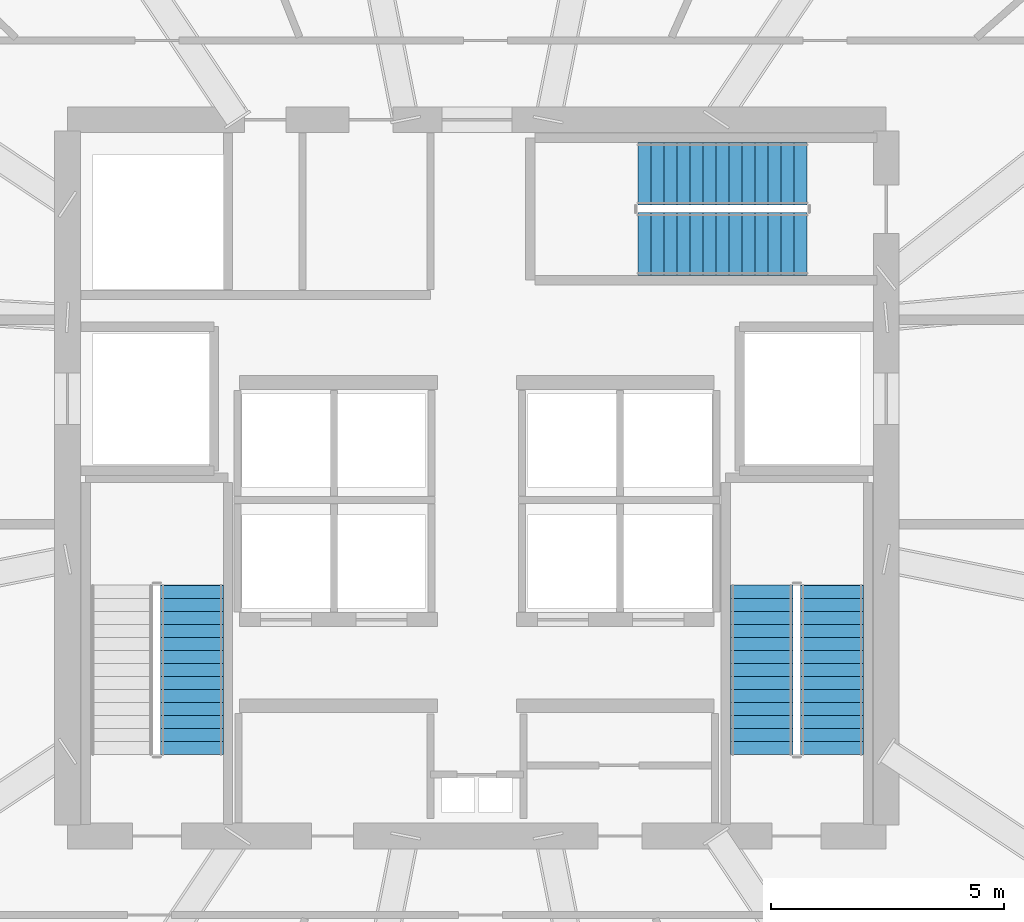
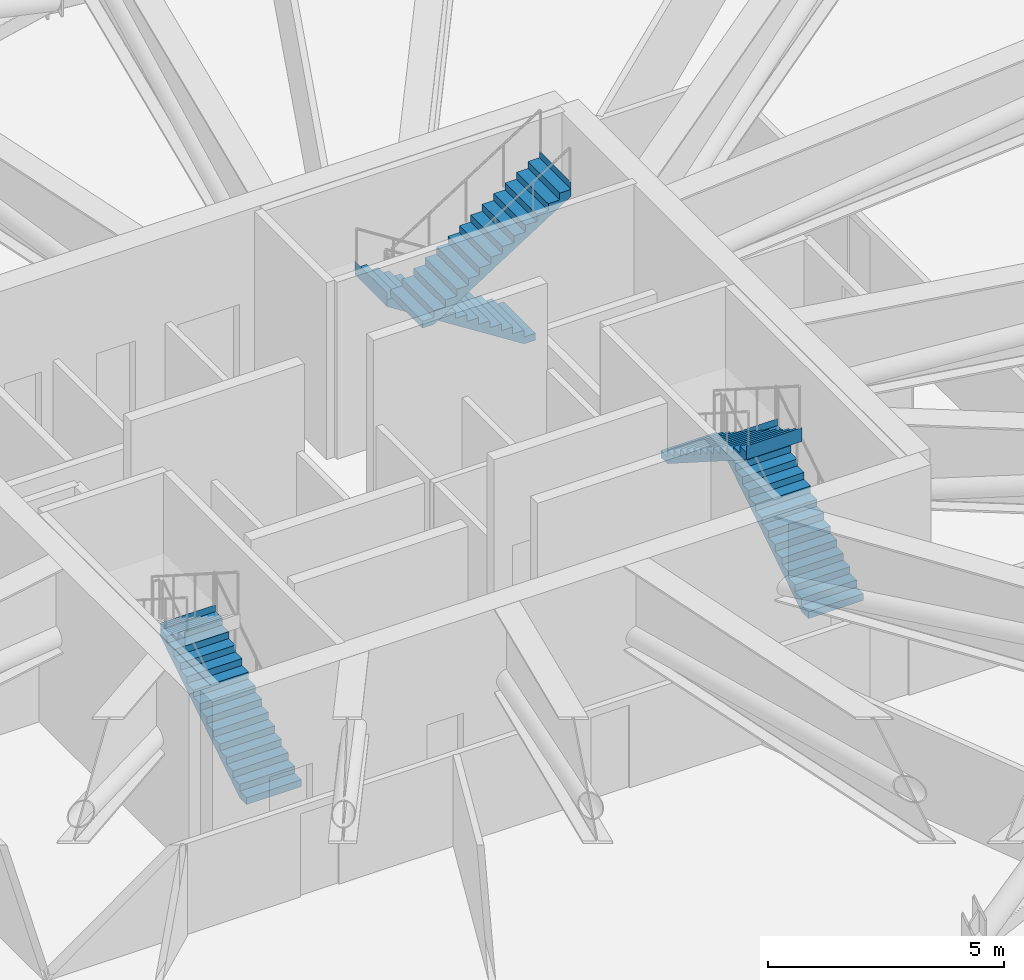
# One storey, part 29 of 30: 5 stair flights, 3 elements without a shape of their own.
"""IFC4 building model written with IfcOpenShell, lengths in metres."""

from ifc_helpers import new_model, si_unit, direction, frame, origin, place, context, subcontext, project, spatial, polyline, outline, extrude, material, type_object, element, aggregate, save


model = new_model("IFC4")

# Units and contexts
model_context = context("Model", 3, precision=1e-05, world=origin(), true_north=direction((0.0, 1.0)))
body_context = subcontext(model_context, "Body", "Model", "MODEL_VIEW")
ifc_project = project(units=[si_unit("LENGTHUNIT", "METRE"), si_unit("AREAUNIT", "SQUARE_METRE"), si_unit("VOLUMEUNIT", "CUBIC_METRE"), si_unit("PLANEANGLEUNIT", "RADIAN"), si_unit("MASSUNIT", "GRAM", prefix="KILO"), si_unit("THERMODYNAMICTEMPERATUREUNIT", "KELVIN")], contexts=[model_context])

# Site, building, storey
site_placement = place(None, origin())
site = spatial("IfcSite", under=ifc_project, at=site_placement, CompositionType="ELEMENT")
building_placement = place(site_placement, origin())
building = spatial("IfcBuilding", under=site, at=building_placement, Name="Kethvar Cultural Tower", CompositionType="ELEMENT")
storey_placement = place(building_placement, frame((0.0, 0.0, 171.39990234375)))
storey = spatial("IfcBuildingStorey", under=building, at=storey_placement, Name="L44", CompositionType="ELEMENT", Elevation=171.39990234375)

# Stair, stair flight
ifc_material = material(Name="Concrete C40/50", Category="concrete")
stair_type = type_object("IfcStairType", Name="ST-DOGLEG-135", PredefinedType="HALF_TURN_STAIR", material=ifc_material)
stair_1_placement = place(storey_placement, origin())
stair_1 = element("IfcStair", 1, at=stair_1_placement, inside=storey, type_object=stair_type, Name="L44 Core Exit Stair 1", PredefinedType="HALF_TURN_STAIR")
stair_flight_type = type_object("IfcStairFlightType", Name="FL-STRAIGHT-135", PredefinedType="STRAIGHT", material=ifc_material)
stair_flight_1_placement = place(storey_placement, frame((40.675048828125, 21.85009765625, 0.0), z_axis=(0.0, 0.0, 1.0), x_axis=(0.0, 1.0, 0.0)))
stair_flight_1 = element("IfcStairFlight", 2, at=stair_flight_1_placement, type_object=stair_flight_type, Name="ST-01 flight 1", NumberOfRisers=14, NumberOfTreads=13, PredefinedType="STRAIGHT", RiserHeight=0.178571429, TreadLength=0.28, context=body_context, shape_type="SweptSolid", body=[
    extrude(outline(polyline([(-0.0009765625, -0.0009765625), (-0.0009765625, 0.178466796875), (0.280029296875, 0.178466796875), (0.280029296875, 0.357177734375), (0.56005859375, 0.357177734375), (0.56005859375, 0.53564453125), (0.840087890625, 0.53564453125), (0.840087890625, 0.71435546875), (1.1201171875, 0.71435546875), (1.1201171875, 0.892822265625), (1.39990234375, 0.892822265625), (1.39990234375, 1.071533203125), (1.679931640625, 1.071533203125), (1.679931640625, 1.25), (1.9599609375, 1.25), (1.9599609375, 1.428466796875), (2.239990234375, 1.428466796875), (2.239990234375, 1.607177734375), (2.52001953125, 1.607177734375), (2.52001953125, 1.78564453125), (2.800048828125, 1.78564453125), (2.800048828125, 1.96435546875), (3.080078125, 1.96435546875), (3.080078125, 2.142822265625), (3.360107421875, 2.142822265625), (3.360107421875, 2.321533203125), (3.639892578125, 2.321533203125), (3.639892578125, 2.5), (3.640869140625, 2.5), (3.640869140625, 2.1435546875), (0.27880859375, 0.0), (0.0, -0.0009765625), (-0.0009765625, -0.0009765625)])), frame((0.0, 0.675048828125, 0.0), z_axis=(0.0, -1.0, 0.0), x_axis=(1.0, 0.0, 0.0)), (0.0, 0.0, 1.0), 1.35009765625),
])
aggregate(stair_1, [stair_flight_1])

# Stair, stair flights
stair_2_placement = place(storey_placement, origin())
stair_2 = element("IfcStair", 3, at=stair_2_placement, inside=storey, type_object=stair_type, Name="L44 Core Exit Stair 2", PredefinedType="HALF_TURN_STAIR")
stair_flight_2_placement = place(storey_placement, frame((54.43505859375, 21.85009765625, 0.0), z_axis=(0.0, 0.0, 1.0), x_axis=(0.0, 1.0, 0.0)))
stair_flight_2 = element("IfcStairFlight", 4, at=stair_flight_2_placement, type_object=stair_flight_type, Name="ST-02 flight 1", NumberOfRisers=14, NumberOfTreads=13, PredefinedType="STRAIGHT", RiserHeight=0.178571429, TreadLength=0.28, context=body_context, shape_type="SweptSolid", body=[
    extrude(outline(polyline([(-0.0009765625, -0.0009765625), (-0.0009765625, 0.178466796875), (0.280029296875, 0.178466796875), (0.280029296875, 0.357177734375), (0.56005859375, 0.357177734375), (0.56005859375, 0.53564453125), (0.840087890625, 0.53564453125), (0.840087890625, 0.71435546875), (1.1201171875, 0.71435546875), (1.1201171875, 0.892822265625), (1.39990234375, 0.892822265625), (1.39990234375, 1.071533203125), (1.679931640625, 1.071533203125), (1.679931640625, 1.25), (1.9599609375, 1.25), (1.9599609375, 1.428466796875), (2.239990234375, 1.428466796875), (2.239990234375, 1.607177734375), (2.52001953125, 1.607177734375), (2.52001953125, 1.78564453125), (2.800048828125, 1.78564453125), (2.800048828125, 1.96435546875), (3.080078125, 1.96435546875), (3.080078125, 2.142822265625), (3.360107421875, 2.142822265625), (3.360107421875, 2.321533203125), (3.639892578125, 2.321533203125), (3.639892578125, 2.5), (3.640869140625, 2.5), (3.640869140625, 2.1435546875), (0.27880859375, 0.0), (0.0, -0.0009765625), (-0.0009765625, -0.0009765625)])), frame((0.0, 0.675048828125, 0.0), z_axis=(0.0, -1.0, 0.0), x_axis=(1.0, 0.0, 0.0)), (0.0, 0.0, 1.0), 1.35009765625),
])
stair_flight_3_placement = place(storey_placement, frame((52.925048828125, 25.489990234375, 2.5), z_axis=(0.0, 0.0, 1.0), x_axis=(0.0, -1.0, 0.0)))
stair_flight_3 = element("IfcStairFlight", 5, at=stair_flight_3_placement, type_object=stair_flight_type, Name="ST-02 flight 2", NumberOfRisers=14, NumberOfTreads=13, PredefinedType="STRAIGHT", RiserHeight=0.178571429, TreadLength=0.28, context=body_context, shape_type="SweptSolid", body=[
    extrude(outline(polyline([(-0.0009765625, -0.0009765625), (-0.0009765625, 0.178466796875), (0.280029296875, 0.178466796875), (0.280029296875, 0.357177734375), (0.56005859375, 0.357177734375), (0.56005859375, 0.53564453125), (0.840087890625, 0.53564453125), (0.840087890625, 0.71435546875), (1.1201171875, 0.71435546875), (1.1201171875, 0.892822265625), (1.39990234375, 0.892822265625), (1.39990234375, 1.071533203125), (1.679931640625, 1.071533203125), (1.679931640625, 1.25), (1.9599609375, 1.25), (1.9599609375, 1.428466796875), (2.239990234375, 1.428466796875), (2.239990234375, 1.607177734375), (2.52001953125, 1.607177734375), (2.52001953125, 1.78564453125), (2.800048828125, 1.78564453125), (2.800048828125, 1.96435546875), (3.080078125, 1.96435546875), (3.080078125, 2.142822265625), (3.360107421875, 2.142822265625), (3.360107421875, 2.321533203125), (3.639892578125, 2.321533203125), (3.639892578125, 2.5), (3.640869140625, 2.5), (3.640869140625, 2.1435546875), (0.27880859375, 0.0), (0.0, -0.0009765625), (-0.0009765625, -0.0009765625)])), frame((0.0, 0.675048828125, 0.0), z_axis=(0.0, -1.0, 0.0), x_axis=(1.0, 0.0, 0.0)), (0.0, 0.0, 1.0), 1.35009765625),
])
aggregate(stair_2, [stair_flight_2, stair_flight_3])

stair_3_placement = place(storey_placement, origin())
stair_3 = element("IfcStair", 6, at=stair_3_placement, inside=storey, type_object=stair_type, Name="L44 Core Exit Stair 3", PredefinedType="HALF_TURN_STAIR")
stair_flight_4_placement = place(storey_placement, frame((53.89990234375, 34.3349609375, 0.0), z_axis=(0.0, 0.0, 1.0), x_axis=(-1.0, 0.0, 0.0)))
stair_flight_4 = element("IfcStairFlight", 7, at=stair_flight_4_placement, type_object=stair_flight_type, Name="ST-03 flight 1", NumberOfRisers=14, NumberOfTreads=13, PredefinedType="STRAIGHT", RiserHeight=0.178571429, TreadLength=0.28, context=body_context, shape_type="SweptSolid", body=[
    extrude(outline(polyline([(-0.0009765625, -0.0009765625), (-0.0009765625, 0.178466796875), (0.280029296875, 0.178466796875), (0.280029296875, 0.357177734375), (0.56005859375, 0.357177734375), (0.56005859375, 0.53564453125), (0.840087890625, 0.53564453125), (0.840087890625, 0.71435546875), (1.1201171875, 0.71435546875), (1.1201171875, 0.892822265625), (1.39990234375, 0.892822265625), (1.39990234375, 1.071533203125), (1.679931640625, 1.071533203125), (1.679931640625, 1.25), (1.9599609375, 1.25), (1.9599609375, 1.428466796875), (2.239990234375, 1.428466796875), (2.239990234375, 1.607177734375), (2.52001953125, 1.607177734375), (2.52001953125, 1.78564453125), (2.800048828125, 1.78564453125), (2.800048828125, 1.96435546875), (3.080078125, 1.96435546875), (3.080078125, 2.142822265625), (3.360107421875, 2.142822265625), (3.360107421875, 2.321533203125), (3.639892578125, 2.321533203125), (3.639892578125, 2.5), (3.640869140625, 2.5), (3.640869140625, 2.1435546875), (0.27880859375, 0.0), (0.0, -0.0009765625), (-0.0009765625, -0.0009765625)])), frame((0.0, 0.675048828125, 0.0), z_axis=(0.0, -1.0, 0.0), x_axis=(1.0, 0.0, 0.0)), (0.0, 0.0, 1.0), 1.35009765625),
])
stair_flight_5_placement = place(storey_placement, frame((50.260009765625, 32.824951171875, 2.5), z_axis=(0.0, 0.0, 1.0), x_axis=(1.0, 0.0, 0.0)))
stair_flight_5 = element("IfcStairFlight", 8, at=stair_flight_5_placement, type_object=stair_flight_type, Name="ST-03 flight 2", NumberOfRisers=14, NumberOfTreads=13, PredefinedType="STRAIGHT", RiserHeight=0.178571429, TreadLength=0.28, context=body_context, shape_type="SweptSolid", body=[
    extrude(outline(polyline([(-0.0009765625, -0.0009765625), (-0.0009765625, 0.178466796875), (0.280029296875, 0.178466796875), (0.280029296875, 0.357177734375), (0.56005859375, 0.357177734375), (0.56005859375, 0.53564453125), (0.840087890625, 0.53564453125), (0.840087890625, 0.71435546875), (1.1201171875, 0.71435546875), (1.1201171875, 0.892822265625), (1.39990234375, 0.892822265625), (1.39990234375, 1.071533203125), (1.679931640625, 1.071533203125), (1.679931640625, 1.25), (1.9599609375, 1.25), (1.9599609375, 1.428466796875), (2.239990234375, 1.428466796875), (2.239990234375, 1.607177734375), (2.52001953125, 1.607177734375), (2.52001953125, 1.78564453125), (2.800048828125, 1.78564453125), (2.800048828125, 1.96435546875), (3.080078125, 1.96435546875), (3.080078125, 2.142822265625), (3.360107421875, 2.142822265625), (3.360107421875, 2.321533203125), (3.639892578125, 2.321533203125), (3.639892578125, 2.5), (3.640869140625, 2.5), (3.640869140625, 2.1435546875), (0.27880859375, 0.0), (0.0, -0.0009765625), (-0.0009765625, -0.0009765625)])), frame((0.0, 0.675048828125, 0.0), z_axis=(0.0, -1.0, 0.0), x_axis=(1.0, 0.0, 0.0)), (0.0, 0.0, 1.0), 1.35009765625),
])
aggregate(stair_3, [stair_flight_4, stair_flight_5])

save(model, "model.ifc")
